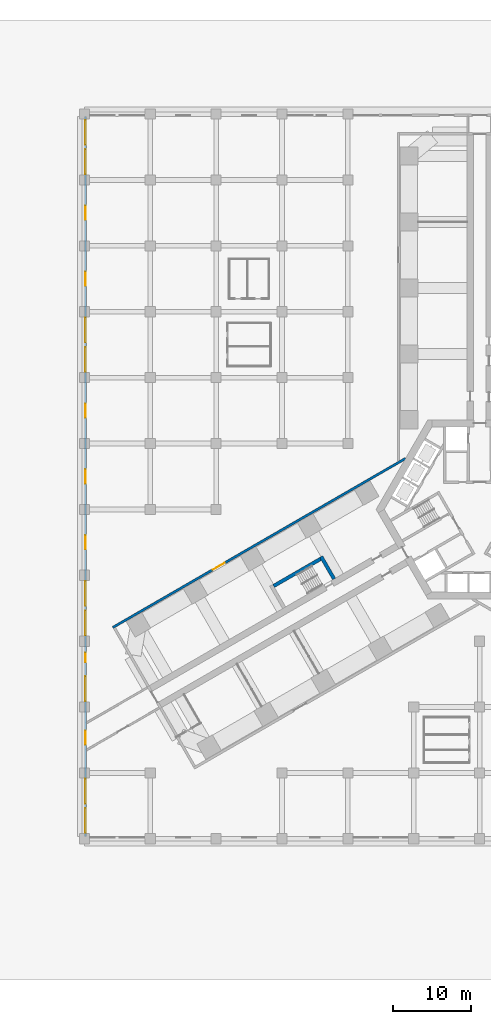
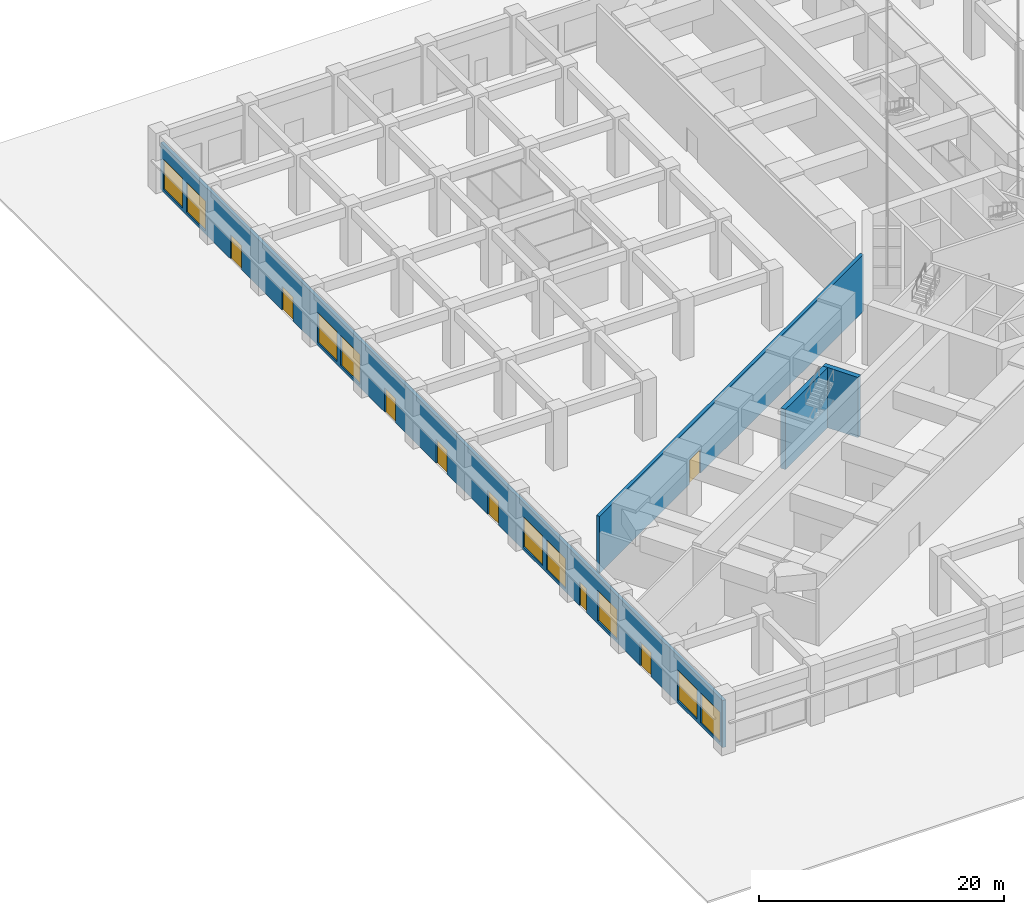
# One storey, part 8 of 33: 9 windows, 8 doors, 4 walls, 17 openings.
"""IFC4 building model written with IfcOpenShell, lengths in metres."""

from ifc_helpers import new_model, si_unit, direction, frame, frame_2d, origin, place, context, subcontext, project, spatial, rectangle, extrude, material, layer, layer_set, type_object, element, fill, save


model = new_model("IFC4")

# Units and contexts
model_context = context("Model", 3, precision=1e-05, world=origin(), true_north=direction((0.0, 1.0)))
body_context = subcontext(model_context, "Body", "Model", "MODEL_VIEW")
ifc_project = project(units=[si_unit("LENGTHUNIT", "METRE"), si_unit("AREAUNIT", "SQUARE_METRE"), si_unit("VOLUMEUNIT", "CUBIC_METRE"), si_unit("PLANEANGLEUNIT", "RADIAN"), si_unit("MASSUNIT", "GRAM", prefix="KILO")], contexts=[model_context])

# Site, building, storey
site_placement = place(None, origin())
site = spatial("IfcSite", under=ifc_project, at=site_placement, CompositionType="ELEMENT")
building_placement = place(site_placement, origin())
building = spatial("IfcBuilding", under=site, at=building_placement, Name="Impinga Residences", CompositionType="ELEMENT")
storey_placement = place(building_placement, origin())
storey = spatial("IfcBuildingStorey", under=building, at=storey_placement, Name="L00", CompositionType="ELEMENT", Elevation=0.0)

# Wall, openings, doors, windows
ifc_material_1 = material(Name="Stone facing on blockwork", Category="masonry")
ifc_layer_1 = layer(ifc_material_1, 0.300048828125)
ifc_layer_set_1 = layer_set([ifc_layer_1], Name="EW2 external wall, stone facing on blockwork 300")
wall_type_1 = type_object("IfcWallType", Name="EW2 external wall, stone facing on blockwork 300", PredefinedType="SOLIDWALL", material=ifc_layer_set_1)
wall_1_placement = place(storey_placement, frame((-50.25, -41.699951171875, 0.0), z_axis=(0.0, 0.0, 1.0), x_axis=(0.0, 1.0, 0.0)))
wall_1 = element("IfcWall", 1, at=wall_1_placement, inside=storey, type_object=wall_type_1, Name="External wall EW2 L00", PredefinedType="SOLIDWALL", context=body_context, shape_type="SweptSolid", body=[
    extrude(rectangle(XDim=91.800048828125, YDim=0.300048828125, at=frame_2d((45.89990234375, 0.0))), origin(), (0.0, 0.0, 1.0), 4.699951171875),
])
opening_1_placement = place(wall_1_placement, frame((11.701904296875, 0.0, 0.0)))
opening_1 = element("IfcOpeningElement", 2, at=opening_1_placement, cuts=wall_1, Name="Opening ED6", PredefinedType="OPENING", context=body_context, shape_type="SweptSolid", body=[
    extrude(rectangle(XDim=1.800048828125, YDim=2.39990234375, at=frame_2d((0.89990234375, 1.199951171875))), frame((0.0, 0.159912109375, 0.0), z_axis=(0.0, -1.0, 0.0), x_axis=(1.0, 0.0, 0.0)), (0.0, 0.0, 1.0), 0.320068359375),
])
opening_2_placement = place(wall_1_placement, frame((22.199951171875, 0.0, 0.0)))
opening_2 = element("IfcOpeningElement", 3, at=opening_2_placement, cuts=wall_1, Name="Opening ED2", PredefinedType="OPENING", context=body_context, shape_type="SweptSolid", body=[
    extrude(rectangle(XDim=1.199951171875, YDim=2.39990234375, at=frame_2d((0.60009765625, 1.199951171875))), frame((0.0, 0.159912109375, 0.0), z_axis=(0.0, -1.0, 0.0), x_axis=(1.0, 0.0, 0.0)), (0.0, 0.0, 1.0), 0.320068359375),
])
opening_3_placement = place(wall_1_placement, frame((36.60009765625, 0.0, 0.0)))
opening_3 = element("IfcOpeningElement", 4, at=opening_3_placement, cuts=wall_1, Name="Opening ED6", PredefinedType="OPENING", context=body_context, shape_type="SweptSolid", body=[
    extrude(rectangle(XDim=1.800048828125, YDim=2.39990234375, at=frame_2d((0.89990234375, 1.199951171875))), frame((0.0, 0.159912109375, 0.0), z_axis=(0.0, -1.0, 0.0), x_axis=(1.0, 0.0, 0.0)), (0.0, 0.0, 1.0), 0.320068359375),
])
opening_4_placement = place(wall_1_placement, frame((45.0, 0.0, 0.0)))
opening_4 = element("IfcOpeningElement", 5, at=opening_4_placement, cuts=wall_1, Name="Opening ED5", PredefinedType="OPENING", context=body_context, shape_type="SweptSolid", body=[
    extrude(rectangle(XDim=1.800048828125, YDim=2.39990234375, at=frame_2d((0.89990234375, 1.199951171875))), frame((0.0, 0.159912109375, 0.0), z_axis=(0.0, -1.0, 0.0), x_axis=(1.0, 0.0, 0.0)), (0.0, 0.0, 1.0), 0.320068359375),
])
opening_5_placement = place(wall_1_placement, frame((53.39990234375, 0.0, 0.0)))
opening_5 = element("IfcOpeningElement", 6, at=opening_5_placement, cuts=wall_1, Name="Opening ED6", PredefinedType="OPENING", context=body_context, shape_type="SweptSolid", body=[
    extrude(rectangle(XDim=1.800048828125, YDim=2.39990234375, at=frame_2d((0.89990234375, 1.199951171875))), frame((0.0, 0.159912109375, 0.0), z_axis=(0.0, -1.0, 0.0), x_axis=(1.0, 0.0, 0.0)), (0.0, 0.0, 1.0), 0.320068359375),
])
opening_6_placement = place(wall_1_placement, frame((70.199951171875, 0.0, 0.0)))
opening_6 = element("IfcOpeningElement", 7, at=opening_6_placement, cuts=wall_1, Name="Opening ED6", PredefinedType="OPENING", context=body_context, shape_type="SweptSolid", body=[
    extrude(rectangle(XDim=1.800048828125, YDim=2.39990234375, at=frame_2d((0.89990234375, 1.199951171875))), frame((0.0, 0.159912109375, 0.0), z_axis=(0.0, -1.0, 0.0), x_axis=(1.0, 0.0, 0.0)), (0.0, 0.0, 1.0), 0.320068359375),
])
opening_7_placement = place(wall_1_placement, frame((78.60009765625, 0.0, 0.0)))
opening_7 = element("IfcOpeningElement", 8, at=opening_7_placement, cuts=wall_1, Name="Opening ED6", PredefinedType="OPENING", context=body_context, shape_type="SweptSolid", body=[
    extrude(rectangle(XDim=1.800048828125, YDim=2.39990234375, at=frame_2d((0.89990234375, 1.199951171875))), frame((0.0, 0.159912109375, 0.0), z_axis=(0.0, -1.0, 0.0), x_axis=(1.0, 0.0, 0.0)), (0.0, 0.0, 1.0), 0.320068359375),
])
opening_8_placement = place(wall_1_placement, frame((0.449951171875, 0.0, 0.300048828125)))
opening_8 = element("IfcOpeningElement", 9, at=opening_8_placement, cuts=wall_1, Name="Opening SH1", PredefinedType="OPENING", context=body_context, shape_type="SweptSolid", body=[
    extrude(rectangle(XDim=3.14990234375, YDim=3.0, at=frame_2d((1.574951171875, 1.5))), frame((0.0, 0.159912109375, 0.0), z_axis=(0.0, -1.0, 0.0), x_axis=(1.0, 0.0, 0.0)), (0.0, 0.0, 1.0), 0.320068359375),
])
opening_9_placement = place(wall_1_placement, frame((4.199951171875, 0.0, 0.300048828125)))
opening_9 = element("IfcOpeningElement", 10, at=opening_9_placement, cuts=wall_1, Name="Opening SH1", PredefinedType="OPENING", context=body_context, shape_type="SweptSolid", body=[
    extrude(rectangle(XDim=3.14990234375, YDim=3.0, at=frame_2d((1.574951171875, 1.5))), frame((0.0, 0.159912109375, 0.0), z_axis=(0.0, -1.0, 0.0), x_axis=(1.0, 0.0, 0.0)), (0.0, 0.0, 1.0), 0.320068359375),
])
opening_10_placement = place(wall_1_placement, frame((17.25, 0.0, 0.300048828125)))
opening_10 = element("IfcOpeningElement", 11, at=opening_10_placement, cuts=wall_1, Name="Opening SH1", PredefinedType="OPENING", context=body_context, shape_type="SweptSolid", body=[
    extrude(rectangle(XDim=3.14990234375, YDim=3.0, at=frame_2d((1.574951171875, 1.5))), frame((0.0, 0.159912109375, 0.0), z_axis=(0.0, -1.0, 0.0), x_axis=(1.0, 0.0, 0.0)), (0.0, 0.0, 1.0), 0.320068359375),
])
opening_11_placement = place(wall_1_placement, frame((25.64990234375, 0.0, 0.300048828125)))
opening_11 = element("IfcOpeningElement", 12, at=opening_11_placement, cuts=wall_1, Name="Opening SH1", PredefinedType="OPENING", context=body_context, shape_type="SweptSolid", body=[
    extrude(rectangle(XDim=3.14990234375, YDim=3.0, at=frame_2d((1.574951171875, 1.5))), frame((0.0, 0.159912109375, 0.0), z_axis=(0.0, -1.0, 0.0), x_axis=(1.0, 0.0, 0.0)), (0.0, 0.0, 1.0), 0.320068359375),
])
opening_12_placement = place(wall_1_placement, frame((29.39990234375, 0.0, 0.300048828125)))
opening_12 = element("IfcOpeningElement", 13, at=opening_12_placement, cuts=wall_1, Name="Opening SH1", PredefinedType="OPENING", context=body_context, shape_type="SweptSolid", body=[
    extrude(rectangle(XDim=3.14990234375, YDim=3.0, at=frame_2d((1.574951171875, 1.5))), frame((0.0, 0.159912109375, 0.0), z_axis=(0.0, -1.0, 0.0), x_axis=(1.0, 0.0, 0.0)), (0.0, 0.0, 1.0), 0.320068359375),
])
opening_13_placement = place(wall_1_placement, frame((59.25, 0.0, 0.300048828125)))
opening_13 = element("IfcOpeningElement", 14, at=opening_13_placement, cuts=wall_1, Name="Opening SH1", PredefinedType="OPENING", context=body_context, shape_type="SweptSolid", body=[
    extrude(rectangle(XDim=3.14990234375, YDim=3.0, at=frame_2d((1.574951171875, 1.5))), frame((0.0, 0.159912109375, 0.0), z_axis=(0.0, -1.0, 0.0), x_axis=(1.0, 0.0, 0.0)), (0.0, 0.0, 1.0), 0.320068359375),
])
opening_14_placement = place(wall_1_placement, frame((63.0, 0.0, 0.300048828125)))
opening_14 = element("IfcOpeningElement", 15, at=opening_14_placement, cuts=wall_1, Name="Opening SH1", PredefinedType="OPENING", context=body_context, shape_type="SweptSolid", body=[
    extrude(rectangle(XDim=3.14990234375, YDim=3.0, at=frame_2d((1.574951171875, 1.5))), frame((0.0, 0.159912109375, 0.0), z_axis=(0.0, -1.0, 0.0), x_axis=(1.0, 0.0, 0.0)), (0.0, 0.0, 1.0), 0.320068359375),
])
opening_15_placement = place(wall_1_placement, frame((84.449951171875, 0.0, 0.300048828125)))
opening_15 = element("IfcOpeningElement", 16, at=opening_15_placement, cuts=wall_1, Name="Opening SH1", PredefinedType="OPENING", context=body_context, shape_type="SweptSolid", body=[
    extrude(rectangle(XDim=3.14990234375, YDim=3.0, at=frame_2d((1.574951171875, 1.5))), frame((0.0, 0.159912109375, 0.0), z_axis=(0.0, -1.0, 0.0), x_axis=(1.0, 0.0, 0.0)), (0.0, 0.0, 1.0), 0.320068359375),
])
opening_16_placement = place(wall_1_placement, frame((88.199951171875, 0.0, 0.300048828125)))
opening_16 = element("IfcOpeningElement", 17, at=opening_16_placement, cuts=wall_1, Name="Opening SH1", PredefinedType="OPENING", context=body_context, shape_type="SweptSolid", body=[
    extrude(rectangle(XDim=3.14990234375, YDim=3.0, at=frame_2d((1.574951171875, 1.5))), frame((0.0, 0.159912109375, 0.0), z_axis=(0.0, -1.0, 0.0), x_axis=(1.0, 0.0, 0.0)), (0.0, 0.0, 1.0), 0.320068359375),
])
ifc_material_2 = material(Name="Steel door, painted", Category="steel")
door_type_1 = type_object("IfcDoorType", Name="ED2 external exit door 1200x2400", OperationType="SINGLE_SWING_LEFT", PredefinedType="DOOR", material=ifc_material_2)
door_1_placement = place(opening_2_placement, origin())
door_1 = element("IfcDoor", 18, at=door_1_placement, inside=storey, type_object=door_type_1, Name="Exit door L00", OperationType="SINGLE_SWING_LEFT", OverallHeight=2.39990234375, OverallWidth=1.199951171875, PredefinedType="DOOR", context=body_context, shape_type="SweptSolid", body=[
    extrude(rectangle(XDim=1.199951171875, YDim=2.39990234375, at=frame_2d((0.60009765625, 1.199951171875))), frame((0.0, 0.02490234375, 0.0), z_axis=(0.0, -1.0, 0.0), x_axis=(1.0, 0.0, 0.0)), (0.0, 0.0, 1.0), 0.050048828125),
])
fill(opening_2, door_1)
ifc_material_3 = material(Name="Glazed aluminium door", Category="aluminium")
door_type_2 = type_object("IfcDoorType", Name="ED5 shop door pair 1800x2400", OperationType="DOUBLE_DOOR_DOUBLE_SWING", PredefinedType="DOOR", material=ifc_material_3)
door_2_placement = place(opening_4_placement, origin())
door_2 = element("IfcDoor", 19, at=door_2_placement, inside=storey, type_object=door_type_2, Name="Shop doors L00", OperationType="DOUBLE_DOOR_DOUBLE_SWING", OverallHeight=2.39990234375, OverallWidth=1.800048828125, PredefinedType="DOOR", context=body_context, shape_type="SweptSolid", body=[
    extrude(rectangle(XDim=1.800048828125, YDim=2.39990234375, at=frame_2d((0.89990234375, 1.199951171875))), frame((0.0, 0.02490234375, 0.0), z_axis=(0.0, -1.0, 0.0), x_axis=(1.0, 0.0, 0.0)), (0.0, 0.0, 1.0), 0.050048828125),
])
fill(opening_4, door_2)
door_type_3 = type_object("IfcDoorType", Name="ED6 external exit door pair 1800x2400", OperationType="DOUBLE_DOOR_DOUBLE_SWING", PredefinedType="DOOR", material=ifc_material_2)
door_3_placement = place(opening_1_placement, origin())
door_3 = element("IfcDoor", 20, at=door_3_placement, inside=storey, type_object=door_type_3, Name="Final exit doors W L00", OperationType="DOUBLE_DOOR_DOUBLE_SWING", OverallHeight=2.39990234375, OverallWidth=1.800048828125, PredefinedType="DOOR", context=body_context, shape_type="SweptSolid", body=[
    extrude(rectangle(XDim=1.800048828125, YDim=2.39990234375, at=frame_2d((0.89990234375, 1.199951171875))), frame((0.0, 0.02490234375, 0.0), z_axis=(0.0, -1.0, 0.0), x_axis=(1.0, 0.0, 0.0)), (0.0, 0.0, 1.0), 0.050048828125),
])
fill(opening_1, door_3)
door_4_placement = place(opening_3_placement, origin())
door_4 = element("IfcDoor", 21, at=door_4_placement, inside=storey, type_object=door_type_3, Name="Exit doors L00", OperationType="DOUBLE_DOOR_DOUBLE_SWING", OverallHeight=2.39990234375, OverallWidth=1.800048828125, PredefinedType="DOOR", context=body_context, shape_type="SweptSolid", body=[
    extrude(rectangle(XDim=1.800048828125, YDim=2.39990234375, at=frame_2d((0.89990234375, 1.199951171875))), frame((0.0, 0.02490234375, 0.0), z_axis=(0.0, -1.0, 0.0), x_axis=(1.0, 0.0, 0.0)), (0.0, 0.0, 1.0), 0.050048828125),
])
fill(opening_3, door_4)
door_5_placement = place(opening_5_placement, origin())
door_5 = element("IfcDoor", 22, at=door_5_placement, inside=storey, type_object=door_type_3, Name="Exit doors L00", OperationType="DOUBLE_DOOR_DOUBLE_SWING", OverallHeight=2.39990234375, OverallWidth=1.800048828125, PredefinedType="DOOR", context=body_context, shape_type="SweptSolid", body=[
    extrude(rectangle(XDim=1.800048828125, YDim=2.39990234375, at=frame_2d((0.89990234375, 1.199951171875))), frame((0.0, 0.02490234375, 0.0), z_axis=(0.0, -1.0, 0.0), x_axis=(1.0, 0.0, 0.0)), (0.0, 0.0, 1.0), 0.050048828125),
])
fill(opening_5, door_5)
door_6_placement = place(opening_6_placement, origin())
door_6 = element("IfcDoor", 23, at=door_6_placement, inside=storey, type_object=door_type_3, Name="Exit doors L00", OperationType="DOUBLE_DOOR_DOUBLE_SWING", OverallHeight=2.39990234375, OverallWidth=1.800048828125, PredefinedType="DOOR", context=body_context, shape_type="SweptSolid", body=[
    extrude(rectangle(XDim=1.800048828125, YDim=2.39990234375, at=frame_2d((0.89990234375, 1.199951171875))), frame((0.0, 0.02490234375, 0.0), z_axis=(0.0, -1.0, 0.0), x_axis=(1.0, 0.0, 0.0)), (0.0, 0.0, 1.0), 0.050048828125),
])
fill(opening_6, door_6)
door_7_placement = place(opening_7_placement, origin())
door_7 = element("IfcDoor", 24, at=door_7_placement, inside=storey, type_object=door_type_3, Name="Exit doors L00", OperationType="DOUBLE_DOOR_DOUBLE_SWING", OverallHeight=2.39990234375, OverallWidth=1.800048828125, PredefinedType="DOOR", context=body_context, shape_type="SweptSolid", body=[
    extrude(rectangle(XDim=1.800048828125, YDim=2.39990234375, at=frame_2d((0.89990234375, 1.199951171875))), frame((0.0, 0.02490234375, 0.0), z_axis=(0.0, -1.0, 0.0), x_axis=(1.0, 0.0, 0.0)), (0.0, 0.0, 1.0), 0.050048828125),
])
fill(opening_7, door_7)
ifc_material_4 = material(Name="Aluminium window, clear double glazing", Category="aluminium")
window_type = type_object("IfcWindowType", Name="SH1 shopfront window 3150x3000", PartitioningType="SINGLE_PANEL", PredefinedType="WINDOW", material=ifc_material_4)
window_1_placement = place(opening_8_placement, origin())
window_1 = element("IfcWindow", 25, at=window_1_placement, inside=storey, type_object=window_type, Name="Window L00", OverallHeight=3.0, OverallWidth=3.14990234375, PartitioningType="SINGLE_PANEL", PredefinedType="WINDOW", context=body_context, shape_type="SweptSolid", body=[
    extrude(rectangle(XDim=3.14990234375, YDim=3.0, at=frame_2d((1.574951171875, 1.5))), frame((0.0, 0.030029296875, 0.0), z_axis=(0.0, -1.0, 0.0), x_axis=(1.0, 0.0, 0.0)), (0.0, 0.0, 1.0), 0.06005859375),
])
fill(opening_8, window_1)
window_2_placement = place(opening_9_placement, origin())
window_2 = element("IfcWindow", 26, at=window_2_placement, inside=storey, type_object=window_type, Name="Window L00", OverallHeight=3.0, OverallWidth=3.14990234375, PartitioningType="SINGLE_PANEL", PredefinedType="WINDOW", context=body_context, shape_type="SweptSolid", body=[
    extrude(rectangle(XDim=3.14990234375, YDim=3.0, at=frame_2d((1.574951171875, 1.5))), frame((0.0, 0.030029296875, 0.0), z_axis=(0.0, -1.0, 0.0), x_axis=(1.0, 0.0, 0.0)), (0.0, 0.0, 1.0), 0.06005859375),
])
fill(opening_9, window_2)
window_3_placement = place(opening_10_placement, origin())
window_3 = element("IfcWindow", 27, at=window_3_placement, inside=storey, type_object=window_type, Name="Window L00", OverallHeight=3.0, OverallWidth=3.14990234375, PartitioningType="SINGLE_PANEL", PredefinedType="WINDOW", context=body_context, shape_type="SweptSolid", body=[
    extrude(rectangle(XDim=3.14990234375, YDim=3.0, at=frame_2d((1.574951171875, 1.5))), frame((0.0, 0.030029296875, 0.0), z_axis=(0.0, -1.0, 0.0), x_axis=(1.0, 0.0, 0.0)), (0.0, 0.0, 1.0), 0.06005859375),
])
fill(opening_10, window_3)
window_4_placement = place(opening_11_placement, origin())
window_4 = element("IfcWindow", 28, at=window_4_placement, inside=storey, type_object=window_type, Name="Window L00", OverallHeight=3.0, OverallWidth=3.14990234375, PartitioningType="SINGLE_PANEL", PredefinedType="WINDOW", context=body_context, shape_type="SweptSolid", body=[
    extrude(rectangle(XDim=3.14990234375, YDim=3.0, at=frame_2d((1.574951171875, 1.5))), frame((0.0, 0.030029296875, 0.0), z_axis=(0.0, -1.0, 0.0), x_axis=(1.0, 0.0, 0.0)), (0.0, 0.0, 1.0), 0.06005859375),
])
fill(opening_11, window_4)
window_5_placement = place(opening_12_placement, origin())
window_5 = element("IfcWindow", 29, at=window_5_placement, inside=storey, type_object=window_type, Name="Window L00", OverallHeight=3.0, OverallWidth=3.14990234375, PartitioningType="SINGLE_PANEL", PredefinedType="WINDOW", context=body_context, shape_type="SweptSolid", body=[
    extrude(rectangle(XDim=3.14990234375, YDim=3.0, at=frame_2d((1.574951171875, 1.5))), frame((0.0, 0.030029296875, 0.0), z_axis=(0.0, -1.0, 0.0), x_axis=(1.0, 0.0, 0.0)), (0.0, 0.0, 1.0), 0.06005859375),
])
fill(opening_12, window_5)
window_6_placement = place(opening_13_placement, origin())
window_6 = element("IfcWindow", 30, at=window_6_placement, inside=storey, type_object=window_type, Name="Window L00", OverallHeight=3.0, OverallWidth=3.14990234375, PartitioningType="SINGLE_PANEL", PredefinedType="WINDOW", context=body_context, shape_type="SweptSolid", body=[
    extrude(rectangle(XDim=3.14990234375, YDim=3.0, at=frame_2d((1.574951171875, 1.5))), frame((0.0, 0.030029296875, 0.0), z_axis=(0.0, -1.0, 0.0), x_axis=(1.0, 0.0, 0.0)), (0.0, 0.0, 1.0), 0.06005859375),
])
fill(opening_13, window_6)
window_7_placement = place(opening_14_placement, origin())
window_7 = element("IfcWindow", 31, at=window_7_placement, inside=storey, type_object=window_type, Name="Window L00", OverallHeight=3.0, OverallWidth=3.14990234375, PartitioningType="SINGLE_PANEL", PredefinedType="WINDOW", context=body_context, shape_type="SweptSolid", body=[
    extrude(rectangle(XDim=3.14990234375, YDim=3.0, at=frame_2d((1.574951171875, 1.5))), frame((0.0, 0.030029296875, 0.0), z_axis=(0.0, -1.0, 0.0), x_axis=(1.0, 0.0, 0.0)), (0.0, 0.0, 1.0), 0.06005859375),
])
fill(opening_14, window_7)
window_8_placement = place(opening_15_placement, origin())
window_8 = element("IfcWindow", 32, at=window_8_placement, inside=storey, type_object=window_type, Name="Window L00", OverallHeight=3.0, OverallWidth=3.14990234375, PartitioningType="SINGLE_PANEL", PredefinedType="WINDOW", context=body_context, shape_type="SweptSolid", body=[
    extrude(rectangle(XDim=3.14990234375, YDim=3.0, at=frame_2d((1.574951171875, 1.5))), frame((0.0, 0.030029296875, 0.0), z_axis=(0.0, -1.0, 0.0), x_axis=(1.0, 0.0, 0.0)), (0.0, 0.0, 1.0), 0.06005859375),
])
fill(opening_15, window_8)
window_9_placement = place(opening_16_placement, origin())
window_9 = element("IfcWindow", 33, at=window_9_placement, inside=storey, type_object=window_type, Name="Window L00", OverallHeight=3.0, OverallWidth=3.14990234375, PartitioningType="SINGLE_PANEL", PredefinedType="WINDOW", context=body_context, shape_type="SweptSolid", body=[
    extrude(rectangle(XDim=3.14990234375, YDim=3.0, at=frame_2d((1.574951171875, 1.5))), frame((0.0, 0.030029296875, 0.0), z_axis=(0.0, -1.0, 0.0), x_axis=(1.0, 0.0, 0.0)), (0.0, 0.0, 1.0), 0.06005859375),
])
fill(opening_16, window_9)

# Wall, opening, door
ifc_material_5 = material(Name="Concrete blockwork", Category="masonry")
ifc_layer_2 = layer(ifc_material_5, 0.300048828125)
ifc_layer_set_2 = layer_set([ifc_layer_2], Name="PW3 podium wall on the wing face 300")
wall_type_2 = type_object("IfcWallType", Name="PW3 podium wall on the wing face 300", PredefinedType="SOLIDWALL", material=ifc_layer_set_2)
wall_2_placement = place(storey_placement, frame((-9.449951171875, 6.4951171875, 0.0), z_axis=(0.0, 0.0, 1.0), x_axis=(-0.866025301493, -0.500000177174, 0.0)))
wall_2 = element("IfcWall", 34, at=wall_2_placement, inside=storey, type_object=wall_type_2, Name="Podium wall on the wing face L00:SIDE:WF0", PredefinedType="SOLIDWALL", context=body_context, shape_type="SweptSolid", body=[
    extrude(rectangle(XDim=43.09521484375, YDim=0.300048828125, at=frame_2d((21.547607421875, 0.0))), origin(), (0.0, 0.0, 1.0), 5.699951171875),
])
opening_17_placement = place(wall_2_placement, frame((26.59521484375, 0.0, 0.0)))
opening_17 = element("IfcOpeningElement", 35, at=opening_17_placement, cuts=wall_2, Name="Opening D7", PredefinedType="OPENING", context=body_context, shape_type="SweptSolid", body=[
    extrude(rectangle(XDim=1.800048828125, YDim=2.39990234375, at=frame_2d((0.89990234375, 1.199951171875))), frame((0.0, 0.159912109375, 0.0), z_axis=(0.0, -1.0, 0.0), x_axis=(1.0, 0.0, 0.0)), (0.0, 0.0, 1.0), 0.320068359375),
])
ifc_material_6 = material(Name="Timber door set", Category="wood")
door_type_4 = type_object("IfcDoorType", Name="D7 podium door pair 1800x2400", OperationType="DOUBLE_DOOR_DOUBLE_SWING", PredefinedType="DOOR", material=ifc_material_6)
door_8_placement = place(opening_17_placement, origin())
door_8 = element("IfcDoor", 36, at=door_8_placement, inside=storey, type_object=door_type_4, Name="Double door WF", OperationType="DOUBLE_DOOR_DOUBLE_SWING", OverallHeight=2.39990234375, OverallWidth=1.800048828125, PredefinedType="DOOR", context=body_context, shape_type="SweptSolid", body=[
    extrude(rectangle(XDim=1.800048828125, YDim=2.39990234375, at=frame_2d((0.89990234375, 1.199951171875))), frame((0.0, 0.02490234375, 0.0), z_axis=(0.0, -1.0, 0.0), x_axis=(1.0, 0.0, 0.0)), (0.0, 0.0, 1.0), 0.050048828125),
])
fill(opening_17, door_8)

# Walls
ifc_material_7 = material(Name="Concrete C60/75", Category="concrete")
ifc_layer_3 = layer(ifc_material_7, 0.449951171875)
ifc_layer_set_3 = layer_set([ifc_layer_3], Name="Concrete C60/75")
wall_type_3 = type_object("IfcWallType", Name="SE2 wing stair enclosure wall, ground and podium storeys 450", PredefinedType="SOLIDWALL", material=ifc_layer_set_3)
wall_3_placement = place(storey_placement, frame((-18.55908203125, -8.86767578125, 0.0), z_axis=(0.0, 0.0, 1.0), x_axis=(-0.50002983664, 0.866008176907, 0.0)))
element("IfcWall", 37, at=wall_3_placement, inside=storey, type_object=wall_type_3, Name="Stair enclosure wall SE2 W END0 L00", PredefinedType="SOLIDWALL", context=body_context, shape_type="SweptSolid", body=[
    extrude(rectangle(XDim=3.300048828125, YDim=0.449951171875, at=frame_2d((1.64990234375, 0.0))), origin(), (0.0, 0.0, 1.0), 6.0),
])
wall_4_placement = place(storey_placement, frame((-20.29150390625, -6.317138671875, 0.0), z_axis=(0.0, 0.0, 1.0), x_axis=(-0.866028853923, -0.499994024137, 0.0)))
element("IfcWall", 38, at=wall_4_placement, inside=storey, type_object=wall_type_3, Name="Stair enclosure wall SE2 W OUT L00", PredefinedType="SOLIDWALL", context=body_context, shape_type="SweptSolid", body=[
    extrude(rectangle(XDim=6.89990234375, YDim=0.449951171875, at=frame_2d((3.449951171875, 0.0))), origin(), (0.0, 0.0, 1.0), 6.0),
])

save(model, "model.ifc")
